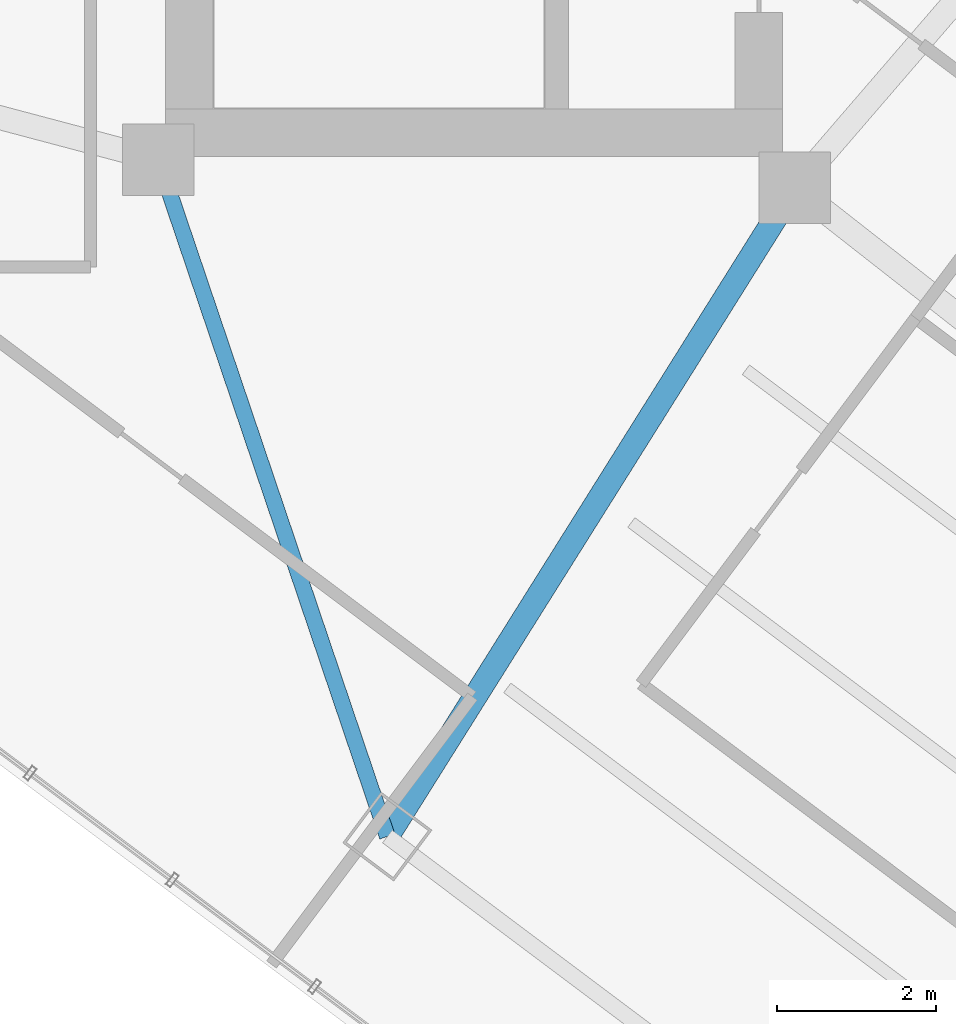
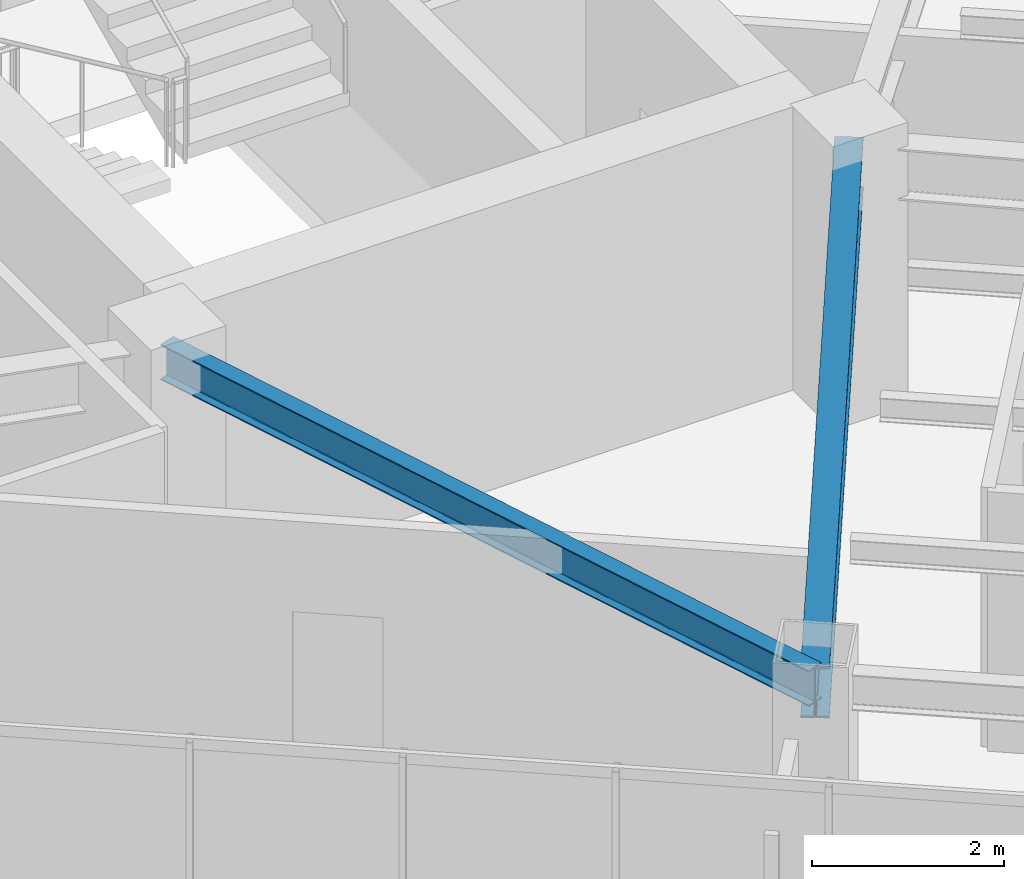
# One storey, part 6 of 29: 2 beams.
"""IFC4 building model written with IfcOpenShell, lengths in metres."""

from ifc_helpers import new_model, si_unit, direction, frame, origin, origin_2d, place, context, subcontext, project, spatial, i_section, extrude, material, material_profile, profile_set, type_object, element, save


model = new_model("IFC4")

# Units and contexts
model_context = context("Model", 3, precision=1e-05, world=origin(), true_north=direction((0.0, 1.0)))
body_context = subcontext(model_context, "Body", "Model", "MODEL_VIEW")
ifc_project = project(units=[si_unit("LENGTHUNIT", "METRE"), si_unit("AREAUNIT", "SQUARE_METRE"), si_unit("VOLUMEUNIT", "CUBIC_METRE"), si_unit("PLANEANGLEUNIT", "RADIAN"), si_unit("MASSUNIT", "GRAM", prefix="KILO")], contexts=[model_context])

# Site, building, storey
site_placement = place(None, origin())
site = spatial("IfcSite", under=ifc_project, at=site_placement, CompositionType="ELEMENT")
building_placement = place(site_placement, origin())
building = spatial("IfcBuilding", under=site, at=building_placement, Name="Hatsunagi Terrace Concourse", CompositionType="ELEMENT")
storey_placement = place(building_placement, frame((0.0, 0.0, 178.050048828125)))
storey = spatial("IfcBuildingStorey", under=building, at=storey_placement, Name="L47", CompositionType="ELEMENT", Elevation=178.050048828125)

# Beams
ifc_material_1 = material(Name="Steel SN490B", Category="steel")
ifc_material_profile_1 = material_profile(ifc_material_1, i_section(OverallWidth=0.300048828125, OverallDepth=0.64990234375, WebThickness=0.012939453125, FlangeThickness=0.02197265625, FilletRadius=0.01806640625, at=origin_2d()), Name="H-650x300x13x22")
ifc_profile_set_1 = profile_set([ifc_material_profile_1], Name="Steel SN490B")
beam_type_1 = type_object("IfcBeamType", Name="OfficeLowGirder_H_650x300", PredefinedType="BEAM", material=ifc_profile_set_1)
beam_1_placement = place(storey_placement, frame((38.679931640625, 16.0400390625, 2.974853515625), z_axis=(0.531503907049, 0.847055840421, 0.0), x_axis=(-0.847055840421, 0.531503907049, 0.0)))
element("IfcBeam", 1, at=beam_1_placement, inside=storey, type_object=beam_type_1, Name="Beam G-05 BM-L47-SET-1A", PredefinedType="BEAM", context=body_context, shape_type="SweptSolid", body=[
    extrude(i_section(OverallWidth=0.300048828125, OverallDepth=0.64990234375, WebThickness=0.012939453125, FlangeThickness=0.02197265625, FilletRadius=0.01806640625, at=origin_2d()), origin(), (0.0, 0.0, 1.0), 9.63330078125),
])
ifc_material_2 = material(Name="Steel SN490B", Category="steel")
ifc_material_profile_2 = material_profile(ifc_material_2, i_section(OverallWidth=0.199951171875, OverallDepth=0.449951171875, WebThickness=0.009033203125, FlangeThickness=0.013916015625, FilletRadius=0.01611328125, at=origin_2d()), Name="H-450x200x9x14")
ifc_profile_set_2 = profile_set([ifc_material_profile_2], Name="Steel SN490B")
beam_type_2 = type_object("IfcBeamType", Name="PerimeterSpandrel_H_450x200", PredefinedType="SPANDREL", material=ifc_profile_set_2)
beam_2_placement = place(storey_placement, frame((35.800048828125, 24.550048828125, 3.074951171875), z_axis=(0.320553412271, -0.947230441805, 0.0), x_axis=(0.947230441805, 0.320553412271, 0.0)))
element("IfcBeam", 2, at=beam_2_placement, inside=storey, type_object=beam_type_2, Name="Beam SP-02 BM-L47-SE-SW0", PredefinedType="SPANDREL", context=body_context, shape_type="SweptSolid", body=[
    extrude(i_section(OverallWidth=0.199951171875, OverallDepth=0.449951171875, WebThickness=0.009033203125, FlangeThickness=0.013916015625, FilletRadius=0.01611328125, at=origin_2d()), origin(), (0.0, 0.0, 1.0), 8.984130859375),
])

save(model, "model.ifc")
